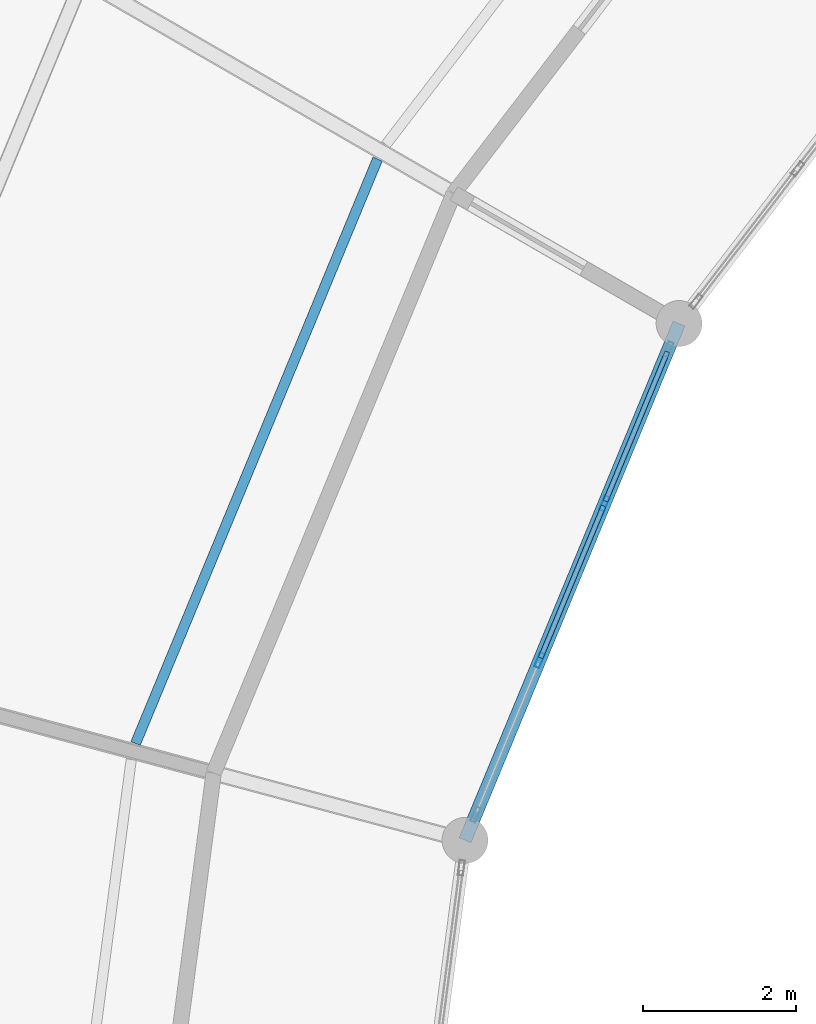
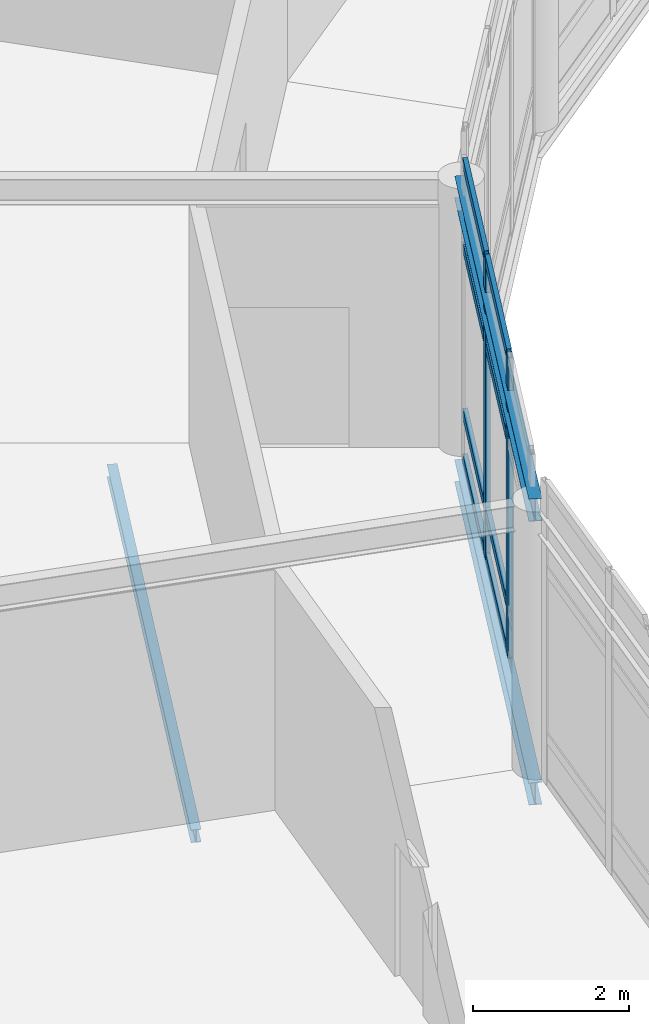
# One storey, part 82 of 200: 10 members, 3 beams, 1 element without a shape of its own.
"""IFC4 building model written with IfcOpenShell, lengths in metres."""

from ifc_helpers import new_model, si_unit, direction, frame, origin, origin_2d, place, context, subcontext, project, spatial, hollow_rectangle, i_section, extrude, material, material_profile, profile_set, type_object, element, aggregate, save


model = new_model("IFC4")

# Units and contexts
model_context = context("Model", 3, precision=1e-05, world=origin(), true_north=direction((0.0, 1.0)))
body_context = subcontext(model_context, "Body", "Model", "MODEL_VIEW")
ifc_project = project(units=[si_unit("LENGTHUNIT", "METRE"), si_unit("AREAUNIT", "SQUARE_METRE"), si_unit("VOLUMEUNIT", "CUBIC_METRE"), si_unit("PLANEANGLEUNIT", "RADIAN"), si_unit("MASSUNIT", "GRAM", prefix="KILO")], contexts=[model_context])

# Site, building, storey
site_placement = place(None, origin())
site = spatial("IfcSite", under=ifc_project, at=site_placement, CompositionType="ELEMENT")
building_placement = place(site_placement, origin())
building = spatial("IfcBuilding", under=site, at=building_placement, Name="Vondelvale Polytechnic", CompositionType="ELEMENT")
storey_placement = place(building_placement, frame((0.0, 0.0, 13.800048828125)))
storey = spatial("IfcBuildingStorey", under=building, at=storey_placement, Name="L03", CompositionType="ELEMENT", Elevation=13.800048828125)

# Beams
ifc_material_1 = material(Name="Steel 300PLUS (fy = 300 MPa)", Category="steel")
ifc_material_profile_1 = material_profile(ifc_material_1, i_section(OverallWidth=0.1708984375, OverallDepth=0.35205078125, WebThickness=0.0068359375, FlangeThickness=0.009765625, FilletRadius=0.011474609375, at=origin_2d()), Name="360UB44.7")
ifc_profile_set_1 = profile_set([ifc_material_profile_1], Name="Steel 300PLUS (fy = 300 MPa)")
beam_type_1 = type_object("IfcBeamType", Name="BM-UB360L", PredefinedType="BEAM", material=ifc_profile_set_1)
for number, where, z_axis, x_axis, name in (
    (1, (77.751220703125, 86.0, -0.426025390625), (-0.382667428841, -0.923886161226, 0.0), (0.923886161226, -0.382667428841, 0.0), "L03 RB B-24"),
    (2, (77.751220703125, 86.0, 4.02392578125), (-0.382667428841, -0.923886161226, 0.0), (0.923886161226, -0.382667428841, 0.0), "L03 RE B-24"),
):
    element("IfcBeam", number, at=place(storey_placement, frame(where, z_axis=z_axis, x_axis=x_axis)), inside=storey, type_object=beam_type_1, Name=name, PredefinedType="BEAM", context=body_context, shape_type="SweptSolid", body=[
        extrude(i_section(OverallWidth=0.1708984375, OverallDepth=0.35205078125, WebThickness=0.0068359375, FlangeThickness=0.009765625, FilletRadius=0.011474609375, at=origin_2d()), origin(), (0.0, 0.0, 1.0), 7.3095703125),
    ])

# Curtain wall, members
ifc_material_2 = material(Name="Anodised extruded aluminium 6063-T6", Category="aluminium")
curtain_wall_type = type_object("IfcCurtainWallType", Name="CW-RING-CLOISTER", PredefinedType="NOTDEFINED", material=ifc_material_2)
curtain_wall_placement = place(storey_placement, origin())
curtain_wall = element("IfcCurtainWall", 3, at=curtain_wall_placement, inside=storey, type_object=curtain_wall_type, Name="L03 architectural curtain wall CW-03-237", PredefinedType="NOTDEFINED")
ifc_material_profile_2 = material_profile(ifc_material_2, hollow_rectangle(XDim=0.070068359375, YDim=0.199951171875, WallThickness=0.00390625, at=origin_2d()), Name="CW-MUL-200x70")
ifc_profile_set_2 = profile_set([ifc_material_profile_2], Name="Anodised extruded aluminium 6063-T6")
member_type_1 = type_object("IfcMemberType", Name="CW-MUL-70x200", PredefinedType="MULLION", material=ifc_profile_set_2)
member_1_placement = place(storey_placement, frame((76.77685546875, 83.647216796875, 0.0), z_axis=(0.0, 0.0, 1.0), x_axis=(0.923881562419, -0.382678531697, 0.0)))
member_1 = element("IfcMember", 4, at=member_1_placement, type_object=member_type_1, Name="CW-03-237 mullion 2", PredefinedType="MULLION", context=body_context, shape_type="SweptSolid", body=[
    extrude(hollow_rectangle(XDim=0.070068359375, YDim=0.199951171875, WallThickness=0.00390625, at=origin_2d()), origin(), (0.0, 0.0, 1.0), 4.713134765625),
])
member_2_placement = place(storey_placement, frame((75.9287109375, 81.599609375, 0.0), z_axis=(0.0, 0.0, 1.0), x_axis=(0.923881562419, -0.382678531697, 0.0)))
member_2 = element("IfcMember", 5, at=member_2_placement, type_object=member_type_1, Name="CW-03-237 mullion 3", PredefinedType="MULLION", context=body_context, shape_type="SweptSolid", body=[
    extrude(hollow_rectangle(XDim=0.070068359375, YDim=0.199951171875, WallThickness=0.00390625, at=origin_2d()), origin(), (0.0, 0.0, 1.0), 4.713134765625),
])
ifc_material_profile_3 = material_profile(ifc_material_2, hollow_rectangle(XDim=0.06494140625, YDim=0.159912109375, WallThickness=0.00341796875, at=origin_2d()), Name="CW-TRN-160x65")
ifc_profile_set_3 = profile_set([ifc_material_profile_3], Name="Anodised extruded aluminium 6063-T6")
member_type_2 = type_object("IfcMemberType", Name="CW-TRN-70x160", PredefinedType="USERDEFINED", material=ifc_profile_set_3)
member_3_placement = place(storey_placement, frame((77.59814453125, 85.63037109375, 0.032470703125), z_axis=(-0.382627532503, -0.923902685011, 0.0), x_axis=(0.923902685011, -0.382627532503, 0.0)))
member_3 = element("IfcMember", 6, at=member_3_placement, type_object=member_type_2, Name="CW-03-237 transom 1.1", ObjectType="TRANSOM", PredefinedType="USERDEFINED", context=body_context, shape_type="SweptSolid", body=[
    extrude(hollow_rectangle(XDim=0.06494140625, YDim=0.159912109375, WallThickness=0.00341796875, at=origin_2d()), origin(), (0.0, 0.0, 1.0), 2.111328125),
])
member_4_placement = place(storey_placement, frame((77.59814453125, 85.63037109375, 0.75), z_axis=(-0.382627532503, -0.923902685011, 0.0), x_axis=(0.923902685011, -0.382627532503, 0.0)))
member_4 = element("IfcMember", 7, at=member_4_placement, type_object=member_type_2, Name="CW-03-237 transom 1.2", ObjectType="TRANSOM", PredefinedType="USERDEFINED", context=body_context, shape_type="SweptSolid", body=[
    extrude(hollow_rectangle(XDim=0.06494140625, YDim=0.159912109375, WallThickness=0.00341796875, at=origin_2d()), origin(), (0.0, 0.0, 1.0), 2.111328125),
])
member_5_placement = place(storey_placement, frame((77.59814453125, 85.63037109375, 3.363037109375), z_axis=(-0.382627532503, -0.923902685011, 0.0), x_axis=(0.923902685011, -0.382627532503, 0.0)))
member_5 = element("IfcMember", 8, at=member_5_placement, type_object=member_type_2, Name="CW-03-237 transom 1.3", ObjectType="TRANSOM", PredefinedType="USERDEFINED", context=body_context, shape_type="SweptSolid", body=[
    extrude(hollow_rectangle(XDim=0.06494140625, YDim=0.159912109375, WallThickness=0.00341796875, at=origin_2d()), origin(), (0.0, 0.0, 1.0), 2.111328125),
])
member_6_placement = place(storey_placement, frame((77.59814453125, 85.63037109375, 4.6806640625), z_axis=(-0.382627532503, -0.923902685011, 0.0), x_axis=(0.923902685011, -0.382627532503, 0.0)))
member_6 = element("IfcMember", 9, at=member_6_placement, type_object=member_type_2, Name="CW-03-237 transom 1.4", ObjectType="TRANSOM", PredefinedType="USERDEFINED", context=body_context, shape_type="SweptSolid", body=[
    extrude(hollow_rectangle(XDim=0.06494140625, YDim=0.159912109375, WallThickness=0.00341796875, at=origin_2d()), origin(), (0.0, 0.0, 1.0), 2.111328125),
])
member_7_placement = place(storey_placement, frame((76.763427734375, 83.614990234375, 0.032470703125), z_axis=(-0.382716752649, -0.923865730094, 0.0), x_axis=(0.923865730094, -0.382716752649, 0.0)))
member_7 = element("IfcMember", 10, at=member_7_placement, type_object=member_type_2, Name="CW-03-237 transom 2.1", ObjectType="TRANSOM", PredefinedType="USERDEFINED", context=body_context, shape_type="SweptSolid", body=[
    extrude(hollow_rectangle(XDim=0.06494140625, YDim=0.159912109375, WallThickness=0.00341796875, at=origin_2d()), origin(), (0.0, 0.0, 1.0), 2.146484375),
])
member_8_placement = place(storey_placement, frame((76.763427734375, 83.614990234375, 0.75), z_axis=(-0.382716752649, -0.923865730094, 0.0), x_axis=(0.923865730094, -0.382716752649, 0.0)))
member_8 = element("IfcMember", 11, at=member_8_placement, type_object=member_type_2, Name="CW-03-237 transom 2.2", ObjectType="TRANSOM", PredefinedType="USERDEFINED", context=body_context, shape_type="SweptSolid", body=[
    extrude(hollow_rectangle(XDim=0.06494140625, YDim=0.159912109375, WallThickness=0.00341796875, at=origin_2d()), origin(), (0.0, 0.0, 1.0), 2.146484375),
])
member_9_placement = place(storey_placement, frame((76.763427734375, 83.614990234375, 3.363037109375), z_axis=(-0.382716752649, -0.923865730094, 0.0), x_axis=(0.923865730094, -0.382716752649, 0.0)))
member_9 = element("IfcMember", 12, at=member_9_placement, type_object=member_type_2, Name="CW-03-237 transom 2.3", ObjectType="TRANSOM", PredefinedType="USERDEFINED", context=body_context, shape_type="SweptSolid", body=[
    extrude(hollow_rectangle(XDim=0.06494140625, YDim=0.159912109375, WallThickness=0.00341796875, at=origin_2d()), origin(), (0.0, 0.0, 1.0), 2.146484375),
])
member_10_placement = place(storey_placement, frame((76.763427734375, 83.614990234375, 4.6806640625), z_axis=(-0.382716752649, -0.923865730094, 0.0), x_axis=(0.923865730094, -0.382716752649, 0.0)))
member_10 = element("IfcMember", 13, at=member_10_placement, type_object=member_type_2, Name="CW-03-237 transom 2.4", ObjectType="TRANSOM", PredefinedType="USERDEFINED", context=body_context, shape_type="SweptSolid", body=[
    extrude(hollow_rectangle(XDim=0.06494140625, YDim=0.159912109375, WallThickness=0.00341796875, at=origin_2d()), origin(), (0.0, 0.0, 1.0), 2.146484375),
])
aggregate(curtain_wall, [member_1, member_2, member_3, member_4, member_5, member_6, member_7, member_8, member_9, member_10])

# Beam
ifc_material_profile_4 = material_profile(ifc_material_1, i_section(OverallWidth=0.133056640625, OverallDepth=0.202880859375, WebThickness=0.005859375, FlangeThickness=0.0078125, FilletRadius=0.0087890625, at=origin_2d()), Name="200UB25.4")
ifc_profile_set_4 = profile_set([ifc_material_profile_4], Name="Steel 300PLUS (fy = 300 MPa)")
beam_type_2 = type_object("IfcBeamType", Name="JST-UB200", PredefinedType="JOIST", material=ifc_profile_set_4)
beam_placement = place(storey_placement, frame((73.81201171875, 88.1484375, -0.3515625), z_axis=(-0.38268053388, -0.923880733098, 0.0), x_axis=(0.923880733098, -0.38268053388, 0.0)))
element("IfcBeam", 14, at=beam_placement, inside=storey, type_object=beam_type_2, Name="L03 RJ J-09", PredefinedType="JOIST", context=body_context, shape_type="SweptSolid", body=[
    extrude(i_section(OverallWidth=0.133056640625, OverallDepth=0.202880859375, WebThickness=0.005859375, FlangeThickness=0.0078125, FilletRadius=0.0087890625, at=origin_2d()), origin(), (0.0, 0.0, 1.0), 8.264404296875),
])

save(model, "model.ifc")
